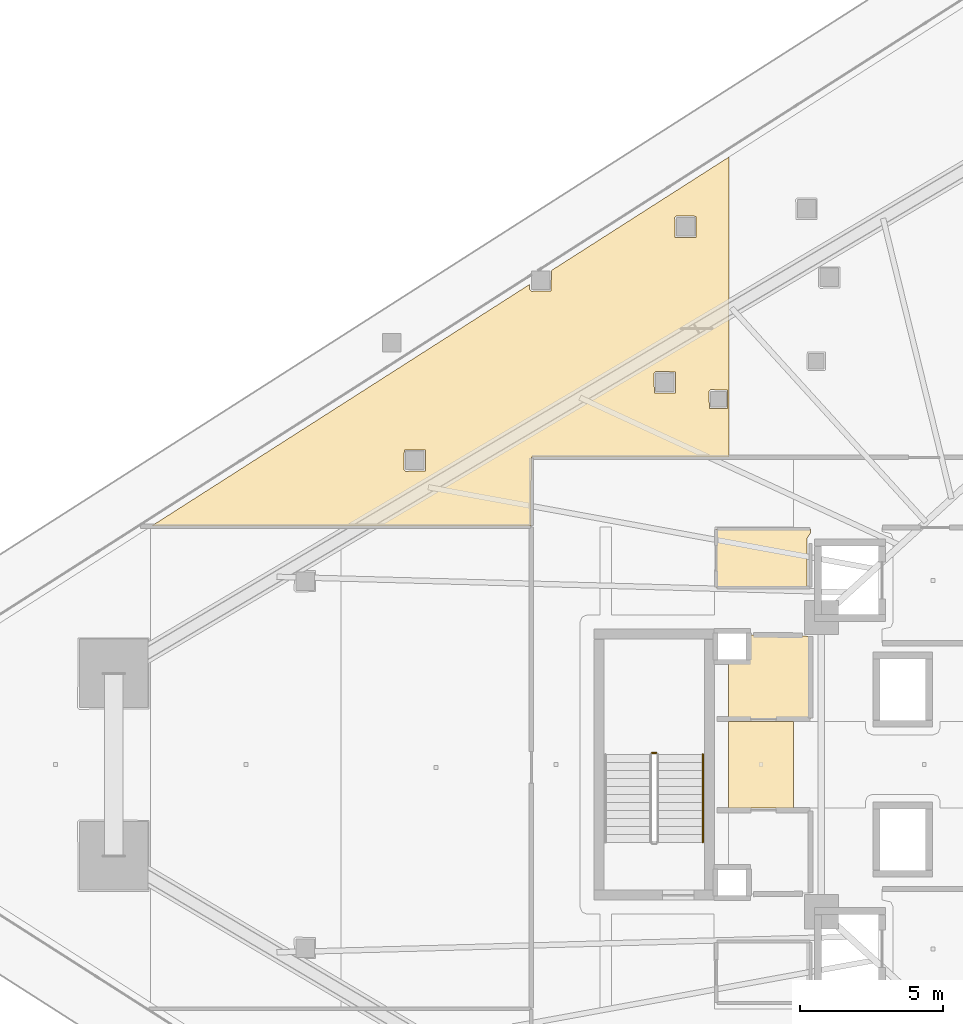
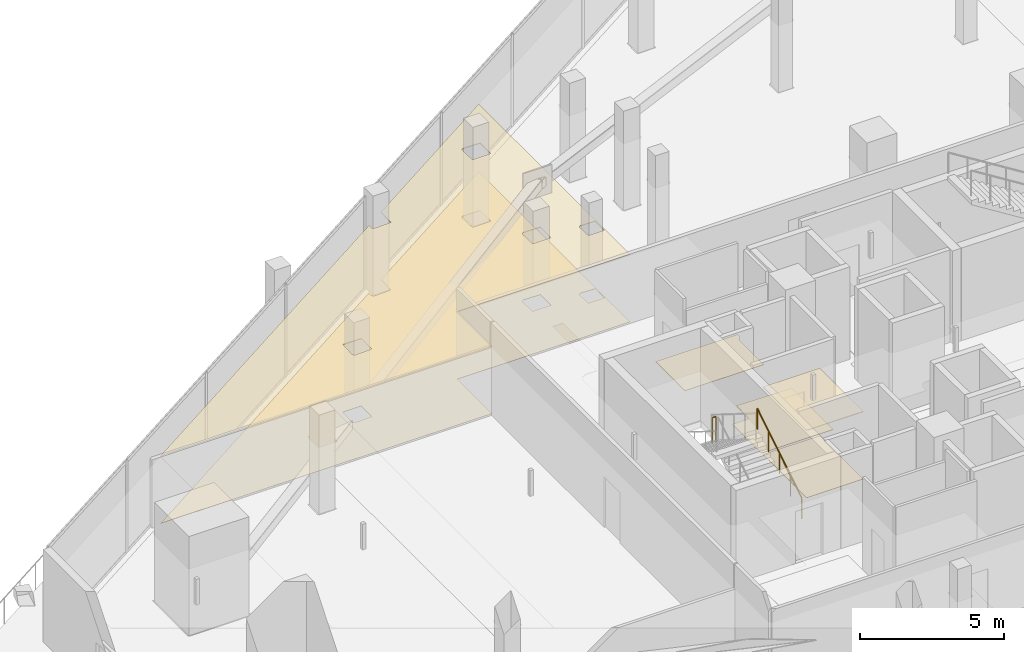
# One storey, part 40 of 43: 6 coverings, 2 railings.
"""IFC4 building model written with IfcOpenShell, lengths in metres."""

from ifc_helpers import new_model, si_unit, direction, frame, origin, origin_2d, place, context, subcontext, project, spatial, polyline, circle, outline, extrude, material, layer, layer_set, type_object, element, save


model = new_model("IFC4")

# Units and contexts
model_context = context("Model", 3, precision=1e-05, world=origin(), true_north=direction((0.0, 1.0)))
body_context = subcontext(model_context, "Body", "Model", "MODEL_VIEW")
ifc_project = project(units=[si_unit("LENGTHUNIT", "METRE"), si_unit("AREAUNIT", "SQUARE_METRE"), si_unit("VOLUMEUNIT", "CUBIC_METRE"), si_unit("PLANEANGLEUNIT", "RADIAN"), si_unit("MASSUNIT", "GRAM", prefix="KILO")], contexts=[model_context])

# Site, building, storey
site_placement = place(None, origin())
site = spatial("IfcSite", under=ifc_project, at=site_placement, CompositionType="ELEMENT")
building_placement = place(site_placement, origin())
building = spatial("IfcBuilding", under=site, at=building_placement, Name="Qorvath Tower", CompositionType="ELEMENT")
storey_placement = place(building_placement, frame((0.0, 0.0, 36.60009765625)))
storey = spatial("IfcBuildingStorey", under=building, at=storey_placement, Name="L07", CompositionType="ELEMENT", Elevation=36.60009765625)

# Coverings
ifc_material_1 = material(Name="Acoustic mineral fibre ceiling tile", Category="gypsum")
ifc_layer_1 = layer(ifc_material_1, 0.030029296875)
ifc_layer_set_1 = layer_set([ifc_layer_1], Name="COV-CEIL")
covering_type_1 = type_object("IfcCoveringType", Name="COV-CEIL", PredefinedType="CEILING", material=ifc_layer_set_1)
covering_1_placement = place(storey_placement, frame((0.0, 0.0, 2.849853515625)))
element("IfcCovering", 1, at=covering_1_placement, inside=storey, type_object=covering_type_1, Name="L07 Suspended Acoustic Ceiling 008", PredefinedType="CEILING", context=body_context, shape_type="SweptSolid", body=[
    extrude(outline(polyline([(-31.481689453125, -1.514892578125), (-31.481689453125, 1.514892578125), (-33.760009765625, 1.514892578125), (-33.760009765625, -1.514892578125), (-31.481689453125, -1.514892578125)])), origin(), (0.0, 0.0, 1.0), 0.030029296875),
])
covering_2_placement = place(storey_placement, frame((0.0, 0.0, 2.849853515625)))
element("IfcCovering", 2, at=covering_2_placement, inside=storey, type_object=covering_type_1, Name="L07 Suspended Acoustic Ceiling 010", PredefinedType="CEILING", context=body_context, shape_type="SweptSolid", body=[
    extrude(outline(polyline([(-33.744140625, 10.762939453125), (-33.744140625, 21.267578125), (-39.95458984375, 17.298095703125), (-39.965087890625, 16.58837890625), (-40.657470703125, 16.57080078125), (-40.717529296875, 16.630859375), (-40.717529296875, 16.810546875), (-53.947265625, 8.35498046875), (-40.6630859375, 8.35498046875), (-40.657958984375, 10.762939453125), (-33.744140625, 10.762939453125)]), holes=[polyline([(-34.439208984375, 13.0673828125), (-34.379150390625, 13.12744140625), (-33.786865234375, 13.10986328125), (-33.786865234375, 12.47509765625), (-34.421630859375, 12.47509765625), (-34.439208984375, 13.0673828125)]), polyline([(-35.63671875, 19.154296875), (-35.57666015625, 19.21435546875), (-34.88427734375, 19.19677734375), (-34.88427734375, 18.4619140625), (-35.619140625, 18.4619140625), (-35.63671875, 19.154296875)]), polyline([(-36.36572265625, 13.705810546875), (-36.3056640625, 13.765869140625), (-35.61328125, 13.748291015625), (-35.61328125, 13.013427734375), (-36.34814453125, 13.013427734375), (-36.36572265625, 13.705810546875)]), polyline([(-45.121337890625, 10.327392578125), (-45.103759765625, 11.019775390625), (-44.368896484375, 11.019775390625), (-44.368896484375, 10.284912109375), (-45.061279296875, 10.267333984375), (-45.121337890625, 10.327392578125)])]), origin(), (0.0, 0.0, 1.0), 0.030029296875),
])
ifc_material_2 = material(Name="Low-VOC modular carpet tile", Category="textile")
ifc_layer_2 = layer(ifc_material_2, 0.014892578125)
ifc_layer_set_2 = layer_set([ifc_layer_2], Name="COV-FLOOR-CPT")
covering_type_2 = type_object("IfcCoveringType", Name="COV-FLOOR-CPT", PredefinedType="FLOORING", material=ifc_layer_set_2)
covering_3_placement = place(storey_placement, origin())
element("IfcCovering", 3, at=covering_3_placement, inside=storey, type_object=covering_type_2, Name="L07 Floor Finish 004", PredefinedType="FLOORING", context=body_context, shape_type="SweptSolid", body=[
    extrude(outline(polyline([(-33.760009765625, 3.636962890625), (-33.760009765625, 1.60498046875), (-30.885009765625, 1.60498046875), (-30.885009765625, 4.489990234375), (-33.0869140625, 4.534912109375), (-33.092041015625, 3.636962890625), (-33.760009765625, 3.636962890625)])), origin(), (0.0, 0.0, 1.0), 0.014892578125),
])
covering_4_placement = place(storey_placement, origin())
element("IfcCovering", 4, at=covering_4_placement, inside=storey, type_object=covering_type_2, Name="L07 Floor Finish 010", PredefinedType="FLOORING", context=body_context, shape_type="SweptSolid", body=[
    extrude(outline(polyline([(-33.744140625, 10.762939453125), (-33.744140625, 21.267578125), (-39.95458984375, 17.298095703125), (-39.965087890625, 16.58837890625), (-40.657470703125, 16.57080078125), (-40.717529296875, 16.630859375), (-40.717529296875, 16.810546875), (-53.947265625, 8.35498046875), (-40.6630859375, 8.35498046875), (-40.657958984375, 10.762939453125), (-33.744140625, 10.762939453125)]), holes=[polyline([(-34.439208984375, 13.0673828125), (-34.379150390625, 13.12744140625), (-33.786865234375, 13.10986328125), (-33.786865234375, 12.47509765625), (-34.421630859375, 12.47509765625), (-34.439208984375, 13.0673828125)]), polyline([(-35.63671875, 19.154296875), (-35.57666015625, 19.21435546875), (-34.88427734375, 19.19677734375), (-34.88427734375, 18.4619140625), (-35.619140625, 18.4619140625), (-35.63671875, 19.154296875)]), polyline([(-36.36572265625, 13.705810546875), (-36.3056640625, 13.765869140625), (-35.61328125, 13.748291015625), (-35.61328125, 13.013427734375), (-36.34814453125, 13.013427734375), (-36.36572265625, 13.705810546875)]), polyline([(-45.121337890625, 10.327392578125), (-45.103759765625, 11.019775390625), (-44.368896484375, 11.019775390625), (-44.368896484375, 10.284912109375), (-45.061279296875, 10.267333984375), (-45.121337890625, 10.327392578125)])]), origin(), (0.0, 0.0, 1.0), 0.014892578125),
])
ifc_material_3 = material(Name="Polished epoxy terrazzo flooring", Category="concrete")
ifc_layer_3 = layer(ifc_material_3, 0.02001953125)
ifc_layer_set_3 = layer_set([ifc_layer_3], Name="COV-FLOOR-TRZ")
covering_type_3 = type_object("IfcCoveringType", Name="COV-FLOOR-TRZ", PredefinedType="FLOORING", material=ifc_layer_set_3)
covering_5_placement = place(storey_placement, origin())
element("IfcCovering", 5, at=covering_5_placement, inside=storey, type_object=covering_type_3, Name="L07 Floor Finish 003", PredefinedType="FLOORING", context=body_context, shape_type="SweptSolid", body=[
    extrude(outline(polyline([(-31.010009765625, 6.205078125), (-31.010009765625, 7.909912109375), (-30.885009765625, 8.108154296875), (-30.885009765625, 8.2451171875), (-34.175048828125, 8.2451171875), (-34.175048828125, 6.205078125), (-31.010009765625, 6.205078125)])), origin(), (0.0, 0.0, 1.0), 0.014892578125),
])
covering_6_placement = place(storey_placement, origin())
element("IfcCovering", 6, at=covering_6_placement, inside=storey, type_object=covering_type_3, Name="L07 Floor Finish 008", PredefinedType="FLOORING", context=body_context, shape_type="SweptSolid", body=[
    extrude(outline(polyline([(-31.481689453125, -1.514892578125), (-31.481689453125, 1.514892578125), (-33.760009765625, 1.514892578125), (-33.760009765625, -1.514892578125), (-31.481689453125, -1.514892578125)])), origin(), (0.0, 0.0, 1.0), 0.014892578125),
])

# Railings
ifc_material_4 = material(Name="Painted galvanised steel", Category="steel")
railing_type_1 = type_object("IfcRailingType", Name="RL-STR-GRD", PredefinedType="GUARDRAIL", material=ifc_material_4)
railing_1_placement = place(storey_placement, frame((-36.280029296875, 0.409912109375, 2.099853515625)))
element("IfcRailing", 7, at=railing_1_placement, inside=storey, type_object=railing_type_1, Name="L07 TS3 stair guard 2", PredefinedType="GUARDRAIL", context=body_context, shape_type="SweptSolid", body=[
    extrude(circle(Radius=0.02392578125, at=origin_2d()), frame((0.0, 0.0, 1.076171875), z_axis=(-1.0, 0.0, 0.0), x_axis=(0.0, -1.0, 0.0)), (0.0, 0.0, 1.0), 0.14990234375),
    extrude(circle(Radius=0.02099609375, at=origin_2d()), origin(), (0.0, 0.0, 1.0), 1.052001953125),
    extrude(circle(Radius=0.02099609375, at=origin_2d()), frame((-0.14990234375, 0.0, 0.0)), (0.0, 0.0, 1.0), 1.052001953125),
])
ifc_material_5 = material(Name="Brushed stainless steel AISI 304", Category="steel")
railing_type_2 = type_object("IfcRailingType", Name="RL-STR-HND", PredefinedType="HANDRAIL", material=ifc_material_5)
railing_2_placement = place(storey_placement, frame((-34.64990234375, -2.719970703125, 0.1748046875)))
element("IfcRailing", 8, at=railing_2_placement, inside=storey, type_object=railing_type_2, Name="L07 TS3 stair handrail 1", PredefinedType="HANDRAIL", context=body_context, shape_type="SweptSolid", body=[
    extrude(circle(Radius=0.02392578125, at=origin_2d()), frame((0.0, 0.0, 0.8759765625), z_axis=(0.0, 0.847998304005, 0.529998940003), x_axis=(-1.0, 0.0, 0.0)), (0.0, 0.0, 1.0), 3.632080078125),
    extrude(circle(Radius=0.02099609375, at=origin_2d()), origin(), (0.0, 0.0, 1.0), 0.851806640625),
    extrude(circle(Radius=0.02099609375, at=origin_2d()), frame((0.0, 0.77001953125, 0.481201171875)), (0.0, 0.0, 1.0), 0.851806640625),
    extrude(circle(Radius=0.02099609375, at=origin_2d()), frame((0.0, 1.5400390625, 0.96240234375)), (0.0, 0.0, 1.0), 0.851806640625),
    extrude(circle(Radius=0.02099609375, at=origin_2d()), frame((0.0, 2.31005859375, 1.44384765625)), (0.0, 0.0, 1.0), 0.851806640625),
    extrude(circle(Radius=0.02099609375, at=origin_2d()), frame((0.0, 3.080078125, 1.925048828125)), (0.0, 0.0, 1.0), 0.851806640625),
])

save(model, "model.ifc")
